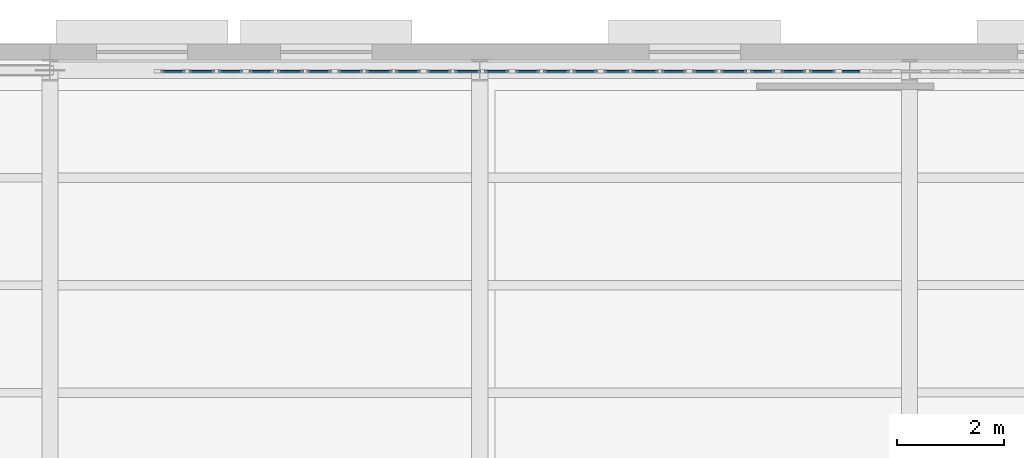
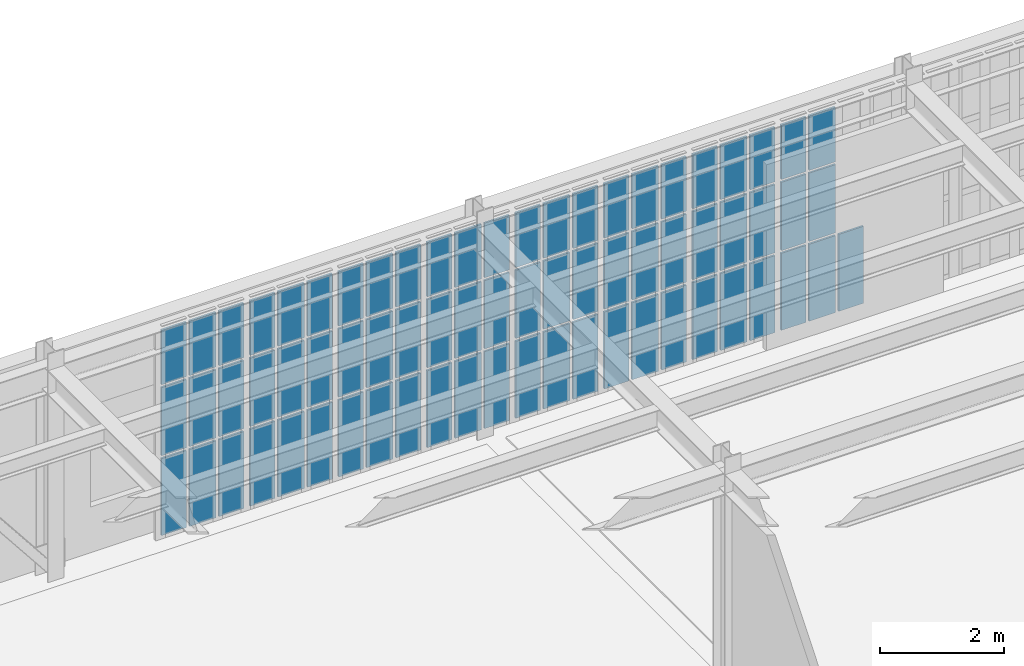
# One storey, part 58 of 91: 70 plates, 8 elements without a shape of their own.
"""IFC4 building model written with IfcOpenShell, lengths in metres."""

import ifcopenshell
import ifcopenshell.guid

model = None  # the IFC model being written
_history = None  # IfcOwnerHistory: only IFC2X3 demands one
_inside = {}  # id of a spatial element -> (the spatial element, [elements in it])
_under = {}  # id of a project, library or spatial element -> (it, [spatial elements below it])
_declared = {}  # id of a project -> (the project, [libraries it declares])
_typed = {}  # id of a type object -> (the type object, [elements of that type])
_made_of = {}  # id of a material, layer set ... -> (it, [elements and type objects made of it])


def new_model(schema):
    """Start an empty IFC model of exactly this schema.

    Asked for "IFC4X3", IfcOpenShell would pick the latest addendum, in which some entities
    have other attributes; the version numbers below select the first issue.
    IFC2X3 requires an IfcOwnerHistory on every rooted entity: one is made here for all.
    """
    global model, _history
    if schema == "IFC4X3":
        model = ifcopenshell.file(schema_version=(4, 3, 0, 0))
    else:
        model = ifcopenshell.file(schema=schema)
    _inside.clear()
    _under.clear()
    _declared.clear()
    _typed.clear()
    _made_of.clear()
    _history = None
    if model.schema == "IFC2X3":
        org = make("IfcOrganization", Name="unknown")
        user = make(
            "IfcPersonAndOrganization",
            ThePerson=make("IfcPerson", FamilyName="unknown"),
            TheOrganization=org,
        )
        app = make(
            "IfcApplication",
            ApplicationDeveloper=org,
            Version="unknown",
            ApplicationFullName="unknown",
            ApplicationIdentifier="unknown",
        )
        _history = make(
            "IfcOwnerHistory",
            OwningUser=user,
            OwningApplication=app,
            ChangeAction="ADDED",
            CreationDate=0,
        )
    return model


def make(cls, **values):
    """One entity of the class cls with the attributes given. An attribute that is None is left unset."""
    return model.create_entity(
        cls, **{name: value for name, value in values.items() if value is not None}
    )


def rooted(cls, **values):
    """An entity with a GlobalId (a new one), such as an element, a storey or a relation."""
    return make(cls, GlobalId=ifcopenshell.guid.new(), OwnerHistory=_history, **values)


def si_unit(unit_type, name, prefix=None):
    """IfcSIUnit, for example si_unit("LENGTHUNIT", "METRE", prefix="MILLI")."""
    return make("IfcSIUnit", UnitType=unit_type, Prefix=prefix, Name=name)


def assignment(units):
    """IfcUnitAssignment: the units of a project."""
    return None if units is None else make("IfcUnitAssignment", Units=units)


def point(xyz):
    """IfcCartesianPoint."""
    return None if xyz is None else make("IfcCartesianPoint", Coordinates=xyz)


def direction(xyz):
    """IfcDirection."""
    return None if xyz is None else make("IfcDirection", DirectionRatios=xyz)


def frame(location, z_axis=None, x_axis=None):
    """IfcAxis2Placement3D, a coordinate frame: its origin and axes. An axis left out is left unset."""
    return make(
        "IfcAxis2Placement3D",
        Location=point(location),
        Axis=direction(z_axis),
        RefDirection=direction(x_axis),
    )


def frame_2d(location, x_axis=None):
    """IfcAxis2Placement2D, a coordinate frame in the plane: its origin and x axis."""
    return make(
        "IfcAxis2Placement2D", Location=point(location), RefDirection=direction(x_axis)
    )


def origin():
    """The frame at (0, 0, 0) with its axes left unset."""
    return frame((0.0, 0.0, 0.0))


def origin_2d():
    """The frame at (0, 0) in the plane with its x axis left unset."""
    return frame_2d((0.0, 0.0))


def place(relative_to, where):
    """IfcLocalPlacement: puts the frame where relative to a parent placement (None: the world)."""
    return make(
        "IfcLocalPlacement", PlacementRelTo=relative_to, RelativePlacement=where
    )


def context(
    kind, dimensions, precision=None, world=None, true_north=None, identifier=None
):
    """IfcGeometricRepresentationContext, for example the 3D "Model" context."""
    return make(
        "IfcGeometricRepresentationContext",
        ContextIdentifier=identifier,
        ContextType=kind,
        CoordinateSpaceDimension=dimensions,
        Precision=precision,
        WorldCoordinateSystem=world,
        TrueNorth=true_north,
    )


def subcontext(parent, identifier, kind, view, scale=None):
    """IfcGeometricRepresentationSubContext, for example "Body" below "Model"."""
    return make(
        "IfcGeometricRepresentationSubContext",
        ContextIdentifier=identifier,
        ContextType=kind,
        ParentContext=parent,
        TargetScale=scale,
        TargetView=view,
    )


def project(units=None, contexts=None):
    """IfcProject with its units and contexts."""
    return rooted(
        "IfcProject",
        Name="project",
        RepresentationContexts=contexts,
        UnitsInContext=assignment(units),
    )


def spatial(cls, under=None, at=None, **own):
    """A site, building, storey or space (cls), placed at a placement, below another one or the project."""
    s = rooted(cls, ObjectPlacement=at, **own)
    if under is not None:
        _under.setdefault(under.id(), (under, []))[1].append(s)
    return s


def profile(cls, at=None, kind="AREA", **sizes):
    """A parametric profile (cls). Its sizes go by their IFC names, for example OverallWidth=200.0."""
    return make(cls, ProfileType=kind, Position=at, **sizes)


def rectangle(**sizes):
    """IfcRectangleProfileDef."""
    return profile("IfcRectangleProfileDef", **sizes)


def extrude(swept, where, along, depth):
    """IfcExtrudedAreaSolid: the profile swept, set in the frame where, extruded along a direction by depth."""
    return make(
        "IfcExtrudedAreaSolid",
        SweptArea=swept,
        Position=where,
        ExtrudedDirection=direction(along),
        Depth=depth,
    )


def shape(context_of_items, identifier, shape_type, items):
    """IfcShapeRepresentation: the items that make up one representation, for example the "Body"."""
    return make(
        "IfcShapeRepresentation",
        ContextOfItems=context_of_items,
        RepresentationIdentifier=identifier,
        RepresentationType=shape_type,
        Items=items,
    )


def material(Name=None, Category=None):
    """IfcMaterial."""
    return make("IfcMaterial", Name=Name, Category=Category)


def layer(
    of_material, thickness, ventilated=None, Name=None, Category=None, Priority=None
):
    """IfcMaterialLayer: one layer of a wall or slab, of a material (None: an air gap)."""
    return make(
        "IfcMaterialLayer",
        Material=of_material,
        LayerThickness=thickness,
        IsVentilated=ventilated,
        Name=Name,
        Category=Category,
        Priority=Priority,
    )


def layer_set(layers, Name=None):
    """IfcMaterialLayerSet."""
    return make("IfcMaterialLayerSet", MaterialLayers=layers, LayerSetName=Name)


def made_of(thing, what):
    """Note that an element or type object is made of a material, layer set ...; save() writes the relation."""
    if what is not None:
        _made_of.setdefault(what.id(), (what, []))[1].append(thing)
    return thing


def type_object(cls, material=None, **own):
    """A type object (cls), such as IfcWallType, which elements share."""
    return made_of(rooted(cls, **own), material)


def element(
    cls,
    number,
    at=None,
    inside=None,
    cuts=None,
    type_object=None,
    material=None,
    context=None,
    identifier="Body",
    shape_type=None,
    held_by="IfcProductDefinitionShape",
    body=None,
    shapes=None,
    **own,
):
    """One element of the class cls, such as IfcWall. Its Tag is "e" and its number.

    at: its placement. inside: the storey or other place that contains it. cuts: it is an
    opening in that element (IfcRelVoidsElement). A single representation is given by context,
    identifier, shape_type and body (its items); several are given by shapes. held_by: the class
    of the entity that holds the representations. save() writes the other relations.
    """
    e = rooted(cls, Tag="e%d" % number, ObjectPlacement=at, **own)
    if body is not None:
        shapes = [shape(context, identifier, shape_type, body)]
    if shapes is not None:
        e.Representation = make(held_by, Representations=shapes)
    if inside is not None:
        _inside.setdefault(inside.id(), (inside, []))[1].append(e)
    if cuts is not None:
        rooted(
            "IfcRelVoidsElement", RelatingBuildingElement=cuts, RelatedOpeningElement=e
        )
    if type_object is not None:
        _typed.setdefault(type_object.id(), (type_object, []))[1].append(e)
    return made_of(e, material)


def aggregate(whole, parts):
    """IfcRelAggregates: a whole, such as a stair, and the parts it consists of."""
    return rooted("IfcRelAggregates", RelatingObject=whole, RelatedObjects=parts)


def save(model, path):
    """Write the relations noted so far, then the file.

    IfcRelAggregates (storeys below a building ...), IfcRelContainedInSpatialStructure (elements
    in a storey), IfcRelDefinesByType, IfcRelAssociatesMaterial and IfcRelDeclares: one each for
    every whole, place, type object, material and project.
    """
    for whole, parts in _under.values():
        aggregate(whole, parts)
    for where, things in _inside.values():
        rooted(
            "IfcRelContainedInSpatialStructure",
            RelatedElements=things,
            RelatingStructure=where,
        )
    for kind, things in _typed.values():
        rooted("IfcRelDefinesByType", RelatedObjects=things, RelatingType=kind)
    for what, things in _made_of.values():
        rooted("IfcRelAssociatesMaterial", RelatedObjects=things, RelatingMaterial=what)
    for by, libraries in _declared.values():
        rooted("IfcRelDeclares", RelatingContext=by, RelatedDefinitions=libraries)
    model.write(path)


model = new_model("IFC4")

# Units and contexts
model_context = context("Model", 3, precision=1e-05, world=origin(), true_north=direction((0.0, 1.0)))
body_context = subcontext(model_context, "Body", "Model", "MODEL_VIEW")
ifc_project = project(units=[si_unit("LENGTHUNIT", "METRE"), si_unit("AREAUNIT", "SQUARE_METRE"), si_unit("VOLUMEUNIT", "CUBIC_METRE"), si_unit("PLANEANGLEUNIT", "RADIAN"), si_unit("MASSUNIT", "GRAM", prefix="KILO")], contexts=[model_context])

# Site, building, storey
site_placement = place(None, origin())
site = spatial("IfcSite", under=ifc_project, at=site_placement, CompositionType="ELEMENT")
building_placement = place(site_placement, origin())
building = spatial("IfcBuilding", under=site, at=building_placement, Name="Kolvaren Corner Interchange", CompositionType="ELEMENT")
storey_placement = place(building_placement, frame((0.0, 0.0, 6.0)))
storey = spatial("IfcBuildingStorey", under=building, at=storey_placement, Name="L02", CompositionType="ELEMENT", Elevation=6.0)

# Curtain wall, plates
ifc_material_1 = material(Name="Unitised Aluminium and Solar-Control Glass Curtain Wall", Category="aluminium")
curtain_wall_type = type_object("IfcCurtainWallType", Name="CW-V3-MEZZ", PredefinedType="NOTDEFINED", material=ifc_material_1)
curtain_wall_1_placement = place(storey_placement, origin())
curtain_wall_1 = element("IfcCurtainWall", 1, at=curtain_wall_1_placement, inside=storey, type_object=curtain_wall_type, Name="Cycle Mezzanine North Curtain Wall Bay 01", PredefinedType="NOTDEFINED")
ifc_material_2 = material(Name="Low-E Solar-Control Laminated Glass", Category="glass")
ifc_layer = layer(ifc_material_2, 0.035888671875)
ifc_layer_set = layer_set([ifc_layer], Name="Low-E Solar-Control Laminated Glass")
plate_type = type_object("IfcPlateType", Name="PLT-CW-GL32", PredefinedType="CURTAIN_PANEL", material=ifc_layer_set)
plate_1_placement = place(storey_placement, frame((92.2900390625, 113.47998046875, 0.054931640625), z_axis=(0.0, 0.0, 1.0), x_axis=(1.0, 0.0, 0.0)))
plate_1 = element("IfcPlate", 2, at=plate_1_placement, type_object=plate_type, Name="CW-114 panel 1.1", PredefinedType="CURTAIN_PANEL", context=body_context, shape_type="SweptSolid", body=[
    extrude(rectangle(XDim=0.4599609375, YDim=0.035888671875, at=origin_2d()), origin(), (0.0, 0.0, 1.0), 1.517578125),
])
plate_2_placement = place(storey_placement, frame((92.2900390625, 113.47998046875, 1.62744140625), z_axis=(0.0, 0.0, 1.0), x_axis=(1.0, 0.0, 0.0)))
plate_2 = element("IfcPlate", 3, at=plate_2_placement, type_object=plate_type, Name="CW-114 panel 1.2", PredefinedType="CURTAIN_PANEL", context=body_context, shape_type="SweptSolid", body=[
    extrude(rectangle(XDim=0.4599609375, YDim=0.035888671875, at=origin_2d()), origin(), (0.0, 0.0, 1.0), 1.344970703125),
])
plate_3_placement = place(storey_placement, frame((92.2900390625, 113.47998046875, 3.02734375), z_axis=(0.0, 0.0, 1.0), x_axis=(1.0, 0.0, 0.0)))
plate_3 = element("IfcPlate", 4, at=plate_3_placement, type_object=plate_type, Name="CW-114 panel 1.3", PredefinedType="CURTAIN_PANEL", context=body_context, shape_type="SweptSolid", body=[
    extrude(rectangle(XDim=0.4599609375, YDim=0.035888671875, at=origin_2d()), origin(), (0.0, 0.0, 1.0), 1.077392578125),
])
plate_4_placement = place(storey_placement, frame((92.824951171875, 113.47998046875, 0.054931640625), z_axis=(0.0, 0.0, 1.0), x_axis=(1.0, 0.0, 0.0)))
plate_4 = element("IfcPlate", 5, at=plate_4_placement, type_object=plate_type, Name="CW-114 panel 2.1", PredefinedType="CURTAIN_PANEL", context=body_context, shape_type="SweptSolid", body=[
    extrude(rectangle(XDim=0.489990234375, YDim=0.035888671875, at=origin_2d()), origin(), (0.0, 0.0, 1.0), 1.517578125),
])
plate_5_placement = place(storey_placement, frame((92.824951171875, 113.47998046875, 1.62744140625), z_axis=(0.0, 0.0, 1.0), x_axis=(1.0, 0.0, 0.0)))
plate_5 = element("IfcPlate", 6, at=plate_5_placement, type_object=plate_type, Name="CW-114 panel 2.2", PredefinedType="CURTAIN_PANEL", context=body_context, shape_type="SweptSolid", body=[
    extrude(rectangle(XDim=0.489990234375, YDim=0.035888671875, at=origin_2d()), origin(), (0.0, 0.0, 1.0), 1.344970703125),
])
plate_6_placement = place(storey_placement, frame((92.824951171875, 113.47998046875, 3.02734375), z_axis=(0.0, 0.0, 1.0), x_axis=(1.0, 0.0, 0.0)))
plate_6 = element("IfcPlate", 7, at=plate_6_placement, type_object=plate_type, Name="CW-114 panel 2.3", PredefinedType="CURTAIN_PANEL", context=body_context, shape_type="SweptSolid", body=[
    extrude(rectangle(XDim=0.489990234375, YDim=0.035888671875, at=origin_2d()), origin(), (0.0, 0.0, 1.0), 1.077392578125),
])
plate_7_placement = place(storey_placement, frame((93.360107421875, 113.47998046875, 0.054931640625), z_axis=(0.0, 0.0, 1.0), x_axis=(1.0, 0.0, 0.0)))
plate_7 = element("IfcPlate", 8, at=plate_7_placement, type_object=plate_type, Name="CW-114 panel 3.1", PredefinedType="CURTAIN_PANEL", context=body_context, shape_type="SweptSolid", body=[
    extrude(rectangle(XDim=0.4599609375, YDim=0.035888671875, at=origin_2d()), origin(), (0.0, 0.0, 1.0), 1.517578125),
])
plate_8_placement = place(storey_placement, frame((93.360107421875, 113.47998046875, 1.62744140625), z_axis=(0.0, 0.0, 1.0), x_axis=(1.0, 0.0, 0.0)))
plate_8 = element("IfcPlate", 9, at=plate_8_placement, type_object=plate_type, Name="CW-114 panel 3.2", PredefinedType="CURTAIN_PANEL", context=body_context, shape_type="SweptSolid", body=[
    extrude(rectangle(XDim=0.4599609375, YDim=0.035888671875, at=origin_2d()), origin(), (0.0, 0.0, 1.0), 1.344970703125),
])
plate_9_placement = place(storey_placement, frame((93.360107421875, 113.47998046875, 3.02734375), z_axis=(0.0, 0.0, 1.0), x_axis=(1.0, 0.0, 0.0)))
plate_9 = element("IfcPlate", 10, at=plate_9_placement, type_object=plate_type, Name="CW-114 panel 3.3", PredefinedType="CURTAIN_PANEL", context=body_context, shape_type="SweptSolid", body=[
    extrude(rectangle(XDim=0.4599609375, YDim=0.035888671875, at=origin_2d()), origin(), (0.0, 0.0, 1.0), 1.077392578125),
])
aggregate(curtain_wall_1, [plate_1, plate_2, plate_3, plate_4, plate_5, plate_6, plate_7, plate_8, plate_9])

curtain_wall_2_placement = place(storey_placement, origin())
curtain_wall_2 = element("IfcCurtainWall", 11, at=curtain_wall_2_placement, inside=storey, type_object=curtain_wall_type, Name="Cycle Mezzanine North Curtain Wall Bay 02", PredefinedType="NOTDEFINED")
plate_10_placement = place(storey_placement, frame((93.93994140625, 113.47998046875, 0.054931640625), z_axis=(0.0, 0.0, 1.0), x_axis=(1.0, 0.0, 0.0)))
plate_10 = element("IfcPlate", 12, at=plate_10_placement, type_object=plate_type, Name="CW-115 panel 1.1", PredefinedType="CURTAIN_PANEL", context=body_context, shape_type="SweptSolid", body=[
    extrude(rectangle(XDim=0.4599609375, YDim=0.035888671875, at=origin_2d()), origin(), (0.0, 0.0, 1.0), 1.517578125),
])
plate_11_placement = place(storey_placement, frame((93.93994140625, 113.47998046875, 1.62744140625), z_axis=(0.0, 0.0, 1.0), x_axis=(1.0, 0.0, 0.0)))
plate_11 = element("IfcPlate", 13, at=plate_11_placement, type_object=plate_type, Name="CW-115 panel 1.2", PredefinedType="CURTAIN_PANEL", context=body_context, shape_type="SweptSolid", body=[
    extrude(rectangle(XDim=0.4599609375, YDim=0.035888671875, at=origin_2d()), origin(), (0.0, 0.0, 1.0), 1.344970703125),
])
plate_12_placement = place(storey_placement, frame((93.93994140625, 113.47998046875, 3.02734375), z_axis=(0.0, 0.0, 1.0), x_axis=(1.0, 0.0, 0.0)))
plate_12 = element("IfcPlate", 14, at=plate_12_placement, type_object=plate_type, Name="CW-115 panel 1.3", PredefinedType="CURTAIN_PANEL", context=body_context, shape_type="SweptSolid", body=[
    extrude(rectangle(XDim=0.4599609375, YDim=0.035888671875, at=origin_2d()), origin(), (0.0, 0.0, 1.0), 1.077392578125),
])
plate_13_placement = place(storey_placement, frame((94.47509765625, 113.47998046875, 0.054931640625), z_axis=(0.0, 0.0, 1.0), x_axis=(1.0, 0.0, 0.0)))
plate_13 = element("IfcPlate", 15, at=plate_13_placement, type_object=plate_type, Name="CW-115 panel 2.1", PredefinedType="CURTAIN_PANEL", context=body_context, shape_type="SweptSolid", body=[
    extrude(rectangle(XDim=0.489990234375, YDim=0.035888671875, at=origin_2d()), origin(), (0.0, 0.0, 1.0), 1.517578125),
])
plate_14_placement = place(storey_placement, frame((94.47509765625, 113.47998046875, 1.62744140625), z_axis=(0.0, 0.0, 1.0), x_axis=(1.0, 0.0, 0.0)))
plate_14 = element("IfcPlate", 16, at=plate_14_placement, type_object=plate_type, Name="CW-115 panel 2.2", PredefinedType="CURTAIN_PANEL", context=body_context, shape_type="SweptSolid", body=[
    extrude(rectangle(XDim=0.489990234375, YDim=0.035888671875, at=origin_2d()), origin(), (0.0, 0.0, 1.0), 1.344970703125),
])
plate_15_placement = place(storey_placement, frame((94.47509765625, 113.47998046875, 3.02734375), z_axis=(0.0, 0.0, 1.0), x_axis=(1.0, 0.0, 0.0)))
plate_15 = element("IfcPlate", 17, at=plate_15_placement, type_object=plate_type, Name="CW-115 panel 2.3", PredefinedType="CURTAIN_PANEL", context=body_context, shape_type="SweptSolid", body=[
    extrude(rectangle(XDim=0.489990234375, YDim=0.035888671875, at=origin_2d()), origin(), (0.0, 0.0, 1.0), 1.077392578125),
])
plate_16_placement = place(storey_placement, frame((95.010009765625, 113.47998046875, 0.054931640625), z_axis=(0.0, 0.0, 1.0), x_axis=(1.0, 0.0, 0.0)))
plate_16 = element("IfcPlate", 18, at=plate_16_placement, type_object=plate_type, Name="CW-115 panel 3.1", PredefinedType="CURTAIN_PANEL", context=body_context, shape_type="SweptSolid", body=[
    extrude(rectangle(XDim=0.4599609375, YDim=0.035888671875, at=origin_2d()), origin(), (0.0, 0.0, 1.0), 1.517578125),
])
plate_17_placement = place(storey_placement, frame((95.010009765625, 113.47998046875, 1.62744140625), z_axis=(0.0, 0.0, 1.0), x_axis=(1.0, 0.0, 0.0)))
plate_17 = element("IfcPlate", 19, at=plate_17_placement, type_object=plate_type, Name="CW-115 panel 3.2", PredefinedType="CURTAIN_PANEL", context=body_context, shape_type="SweptSolid", body=[
    extrude(rectangle(XDim=0.4599609375, YDim=0.035888671875, at=origin_2d()), origin(), (0.0, 0.0, 1.0), 1.344970703125),
])
plate_18_placement = place(storey_placement, frame((95.010009765625, 113.47998046875, 3.02734375), z_axis=(0.0, 0.0, 1.0), x_axis=(1.0, 0.0, 0.0)))
plate_18 = element("IfcPlate", 20, at=plate_18_placement, type_object=plate_type, Name="CW-115 panel 3.3", PredefinedType="CURTAIN_PANEL", context=body_context, shape_type="SweptSolid", body=[
    extrude(rectangle(XDim=0.4599609375, YDim=0.035888671875, at=origin_2d()), origin(), (0.0, 0.0, 1.0), 1.077392578125),
])
aggregate(curtain_wall_2, [plate_10, plate_11, plate_12, plate_13, plate_14, plate_15, plate_16, plate_17, plate_18])

curtain_wall_3_placement = place(storey_placement, origin())
curtain_wall_3 = element("IfcCurtainWall", 21, at=curtain_wall_3_placement, inside=storey, type_object=curtain_wall_type, Name="Cycle Mezzanine North Curtain Wall Bay 03", PredefinedType="NOTDEFINED")
plate_19_placement = place(storey_placement, frame((95.590087890625, 113.47998046875, 0.054931640625), z_axis=(0.0, 0.0, 1.0), x_axis=(1.0, 0.0, 0.0)))
plate_19 = element("IfcPlate", 22, at=plate_19_placement, type_object=plate_type, Name="CW-116 panel 1.1", PredefinedType="CURTAIN_PANEL", context=body_context, shape_type="SweptSolid", body=[
    extrude(rectangle(XDim=0.4599609375, YDim=0.035888671875, at=origin_2d()), origin(), (0.0, 0.0, 1.0), 1.517578125),
])
plate_20_placement = place(storey_placement, frame((95.590087890625, 113.47998046875, 1.62744140625), z_axis=(0.0, 0.0, 1.0), x_axis=(1.0, 0.0, 0.0)))
plate_20 = element("IfcPlate", 23, at=plate_20_placement, type_object=plate_type, Name="CW-116 panel 1.2", PredefinedType="CURTAIN_PANEL", context=body_context, shape_type="SweptSolid", body=[
    extrude(rectangle(XDim=0.4599609375, YDim=0.035888671875, at=origin_2d()), origin(), (0.0, 0.0, 1.0), 1.344970703125),
])
plate_21_placement = place(storey_placement, frame((95.590087890625, 113.47998046875, 3.02734375), z_axis=(0.0, 0.0, 1.0), x_axis=(1.0, 0.0, 0.0)))
plate_21 = element("IfcPlate", 24, at=plate_21_placement, type_object=plate_type, Name="CW-116 panel 1.3", PredefinedType="CURTAIN_PANEL", context=body_context, shape_type="SweptSolid", body=[
    extrude(rectangle(XDim=0.4599609375, YDim=0.035888671875, at=origin_2d()), origin(), (0.0, 0.0, 1.0), 1.077392578125),
])
plate_22_placement = place(storey_placement, frame((96.125, 113.47998046875, 0.054931640625), z_axis=(0.0, 0.0, 1.0), x_axis=(1.0, 0.0, 0.0)))
plate_22 = element("IfcPlate", 25, at=plate_22_placement, type_object=plate_type, Name="CW-116 panel 2.1", PredefinedType="CURTAIN_PANEL", context=body_context, shape_type="SweptSolid", body=[
    extrude(rectangle(XDim=0.489990234375, YDim=0.035888671875, at=origin_2d()), origin(), (0.0, 0.0, 1.0), 1.517578125),
])
plate_23_placement = place(storey_placement, frame((96.125, 113.47998046875, 1.62744140625), z_axis=(0.0, 0.0, 1.0), x_axis=(1.0, 0.0, 0.0)))
plate_23 = element("IfcPlate", 26, at=plate_23_placement, type_object=plate_type, Name="CW-116 panel 2.2", PredefinedType="CURTAIN_PANEL", context=body_context, shape_type="SweptSolid", body=[
    extrude(rectangle(XDim=0.489990234375, YDim=0.035888671875, at=origin_2d()), origin(), (0.0, 0.0, 1.0), 1.344970703125),
])
plate_24_placement = place(storey_placement, frame((96.125, 113.47998046875, 3.02734375), z_axis=(0.0, 0.0, 1.0), x_axis=(1.0, 0.0, 0.0)))
plate_24 = element("IfcPlate", 27, at=plate_24_placement, type_object=plate_type, Name="CW-116 panel 2.3", PredefinedType="CURTAIN_PANEL", context=body_context, shape_type="SweptSolid", body=[
    extrude(rectangle(XDim=0.489990234375, YDim=0.035888671875, at=origin_2d()), origin(), (0.0, 0.0, 1.0), 1.077392578125),
])
plate_25_placement = place(storey_placement, frame((96.659912109375, 113.47998046875, 0.054931640625), z_axis=(0.0, 0.0, 1.0), x_axis=(1.0, 0.0, 0.0)))
plate_25 = element("IfcPlate", 28, at=plate_25_placement, type_object=plate_type, Name="CW-116 panel 3.1", PredefinedType="CURTAIN_PANEL", context=body_context, shape_type="SweptSolid", body=[
    extrude(rectangle(XDim=0.4599609375, YDim=0.035888671875, at=origin_2d()), origin(), (0.0, 0.0, 1.0), 1.517578125),
])
plate_26_placement = place(storey_placement, frame((96.659912109375, 113.47998046875, 1.62744140625), z_axis=(0.0, 0.0, 1.0), x_axis=(1.0, 0.0, 0.0)))
plate_26 = element("IfcPlate", 29, at=plate_26_placement, type_object=plate_type, Name="CW-116 panel 3.2", PredefinedType="CURTAIN_PANEL", context=body_context, shape_type="SweptSolid", body=[
    extrude(rectangle(XDim=0.4599609375, YDim=0.035888671875, at=origin_2d()), origin(), (0.0, 0.0, 1.0), 1.344970703125),
])
plate_27_placement = place(storey_placement, frame((96.659912109375, 113.47998046875, 3.02734375), z_axis=(0.0, 0.0, 1.0), x_axis=(1.0, 0.0, 0.0)))
plate_27 = element("IfcPlate", 30, at=plate_27_placement, type_object=plate_type, Name="CW-116 panel 3.3", PredefinedType="CURTAIN_PANEL", context=body_context, shape_type="SweptSolid", body=[
    extrude(rectangle(XDim=0.4599609375, YDim=0.035888671875, at=origin_2d()), origin(), (0.0, 0.0, 1.0), 1.077392578125),
])
aggregate(curtain_wall_3, [plate_19, plate_20, plate_21, plate_22, plate_23, plate_24, plate_25, plate_26, plate_27])

curtain_wall_4_placement = place(storey_placement, origin())
curtain_wall_4 = element("IfcCurtainWall", 31, at=curtain_wall_4_placement, inside=storey, type_object=curtain_wall_type, Name="Cycle Mezzanine North Curtain Wall Bay 04", PredefinedType="NOTDEFINED")
plate_28_placement = place(storey_placement, frame((97.239990234375, 113.47998046875, 0.054931640625), z_axis=(0.0, 0.0, 1.0), x_axis=(1.0, 0.0, 0.0)))
plate_28 = element("IfcPlate", 32, at=plate_28_placement, type_object=plate_type, Name="CW-117 panel 1.1", PredefinedType="CURTAIN_PANEL", context=body_context, shape_type="SweptSolid", body=[
    extrude(rectangle(XDim=0.4599609375, YDim=0.035888671875, at=origin_2d()), origin(), (0.0, 0.0, 1.0), 1.517578125),
])
plate_29_placement = place(storey_placement, frame((97.239990234375, 113.47998046875, 1.62744140625), z_axis=(0.0, 0.0, 1.0), x_axis=(1.0, 0.0, 0.0)))
plate_29 = element("IfcPlate", 33, at=plate_29_placement, type_object=plate_type, Name="CW-117 panel 1.2", PredefinedType="CURTAIN_PANEL", context=body_context, shape_type="SweptSolid", body=[
    extrude(rectangle(XDim=0.4599609375, YDim=0.035888671875, at=origin_2d()), origin(), (0.0, 0.0, 1.0), 1.344970703125),
])
plate_30_placement = place(storey_placement, frame((97.239990234375, 113.47998046875, 3.02734375), z_axis=(0.0, 0.0, 1.0), x_axis=(1.0, 0.0, 0.0)))
plate_30 = element("IfcPlate", 34, at=plate_30_placement, type_object=plate_type, Name="CW-117 panel 1.3", PredefinedType="CURTAIN_PANEL", context=body_context, shape_type="SweptSolid", body=[
    extrude(rectangle(XDim=0.4599609375, YDim=0.035888671875, at=origin_2d()), origin(), (0.0, 0.0, 1.0), 1.077392578125),
])
plate_31_placement = place(storey_placement, frame((97.77490234375, 113.47998046875, 0.054931640625), z_axis=(0.0, 0.0, 1.0), x_axis=(1.0, 0.0, 0.0)))
plate_31 = element("IfcPlate", 35, at=plate_31_placement, type_object=plate_type, Name="CW-117 panel 2.1", PredefinedType="CURTAIN_PANEL", context=body_context, shape_type="SweptSolid", body=[
    extrude(rectangle(XDim=0.489990234375, YDim=0.035888671875, at=origin_2d()), origin(), (0.0, 0.0, 1.0), 1.517578125),
])
plate_32_placement = place(storey_placement, frame((97.77490234375, 113.47998046875, 1.62744140625), z_axis=(0.0, 0.0, 1.0), x_axis=(1.0, 0.0, 0.0)))
plate_32 = element("IfcPlate", 36, at=plate_32_placement, type_object=plate_type, Name="CW-117 panel 2.2", PredefinedType="CURTAIN_PANEL", context=body_context, shape_type="SweptSolid", body=[
    extrude(rectangle(XDim=0.489990234375, YDim=0.035888671875, at=origin_2d()), origin(), (0.0, 0.0, 1.0), 1.344970703125),
])
plate_33_placement = place(storey_placement, frame((97.77490234375, 113.47998046875, 3.02734375), z_axis=(0.0, 0.0, 1.0), x_axis=(1.0, 0.0, 0.0)))
plate_33 = element("IfcPlate", 37, at=plate_33_placement, type_object=plate_type, Name="CW-117 panel 2.3", PredefinedType="CURTAIN_PANEL", context=body_context, shape_type="SweptSolid", body=[
    extrude(rectangle(XDim=0.489990234375, YDim=0.035888671875, at=origin_2d()), origin(), (0.0, 0.0, 1.0), 1.077392578125),
])
plate_34_placement = place(storey_placement, frame((98.31005859375, 113.47998046875, 0.054931640625), z_axis=(0.0, 0.0, 1.0), x_axis=(1.0, 0.0, 0.0)))
plate_34 = element("IfcPlate", 38, at=plate_34_placement, type_object=plate_type, Name="CW-117 panel 3.1", PredefinedType="CURTAIN_PANEL", context=body_context, shape_type="SweptSolid", body=[
    extrude(rectangle(XDim=0.4599609375, YDim=0.035888671875, at=origin_2d()), origin(), (0.0, 0.0, 1.0), 1.517578125),
])
plate_35_placement = place(storey_placement, frame((98.31005859375, 113.47998046875, 1.62744140625), z_axis=(0.0, 0.0, 1.0), x_axis=(1.0, 0.0, 0.0)))
plate_35 = element("IfcPlate", 39, at=plate_35_placement, type_object=plate_type, Name="CW-117 panel 3.2", PredefinedType="CURTAIN_PANEL", context=body_context, shape_type="SweptSolid", body=[
    extrude(rectangle(XDim=0.4599609375, YDim=0.035888671875, at=origin_2d()), origin(), (0.0, 0.0, 1.0), 1.344970703125),
])
plate_36_placement = place(storey_placement, frame((98.31005859375, 113.47998046875, 3.02734375), z_axis=(0.0, 0.0, 1.0), x_axis=(1.0, 0.0, 0.0)))
plate_36 = element("IfcPlate", 40, at=plate_36_placement, type_object=plate_type, Name="CW-117 panel 3.3", PredefinedType="CURTAIN_PANEL", context=body_context, shape_type="SweptSolid", body=[
    extrude(rectangle(XDim=0.4599609375, YDim=0.035888671875, at=origin_2d()), origin(), (0.0, 0.0, 1.0), 1.077392578125),
])
aggregate(curtain_wall_4, [plate_28, plate_29, plate_30, plate_31, plate_32, plate_33, plate_34, plate_35, plate_36])

curtain_wall_5_placement = place(storey_placement, origin())
curtain_wall_5 = element("IfcCurtainWall", 41, at=curtain_wall_5_placement, inside=storey, type_object=curtain_wall_type, Name="Cycle Mezzanine North Curtain Wall Bay 05", PredefinedType="NOTDEFINED")
plate_37_placement = place(storey_placement, frame((98.889892578125, 113.47998046875, 0.054931640625), z_axis=(0.0, 0.0, 1.0), x_axis=(1.0, 0.0, 0.0)))
plate_37 = element("IfcPlate", 42, at=plate_37_placement, type_object=plate_type, Name="CW-118 panel 1.1", PredefinedType="CURTAIN_PANEL", context=body_context, shape_type="SweptSolid", body=[
    extrude(rectangle(XDim=0.4599609375, YDim=0.035888671875, at=origin_2d()), origin(), (0.0, 0.0, 1.0), 1.517578125),
])
plate_38_placement = place(storey_placement, frame((98.889892578125, 113.47998046875, 1.62744140625), z_axis=(0.0, 0.0, 1.0), x_axis=(1.0, 0.0, 0.0)))
plate_38 = element("IfcPlate", 43, at=plate_38_placement, type_object=plate_type, Name="CW-118 panel 1.2", PredefinedType="CURTAIN_PANEL", context=body_context, shape_type="SweptSolid", body=[
    extrude(rectangle(XDim=0.4599609375, YDim=0.035888671875, at=origin_2d()), origin(), (0.0, 0.0, 1.0), 1.344970703125),
])
plate_39_placement = place(storey_placement, frame((98.889892578125, 113.47998046875, 3.02734375), z_axis=(0.0, 0.0, 1.0), x_axis=(1.0, 0.0, 0.0)))
plate_39 = element("IfcPlate", 44, at=plate_39_placement, type_object=plate_type, Name="CW-118 panel 1.3", PredefinedType="CURTAIN_PANEL", context=body_context, shape_type="SweptSolid", body=[
    extrude(rectangle(XDim=0.4599609375, YDim=0.035888671875, at=origin_2d()), origin(), (0.0, 0.0, 1.0), 1.077392578125),
])
plate_40_placement = place(storey_placement, frame((99.425048828125, 113.47998046875, 0.054931640625), z_axis=(0.0, 0.0, 1.0), x_axis=(1.0, 0.0, 0.0)))
plate_40 = element("IfcPlate", 45, at=plate_40_placement, type_object=plate_type, Name="CW-118 panel 2.1", PredefinedType="CURTAIN_PANEL", context=body_context, shape_type="SweptSolid", body=[
    extrude(rectangle(XDim=0.489990234375, YDim=0.035888671875, at=origin_2d()), origin(), (0.0, 0.0, 1.0), 1.517578125),
])
plate_41_placement = place(storey_placement, frame((99.425048828125, 113.47998046875, 1.62744140625), z_axis=(0.0, 0.0, 1.0), x_axis=(1.0, 0.0, 0.0)))
plate_41 = element("IfcPlate", 46, at=plate_41_placement, type_object=plate_type, Name="CW-118 panel 2.2", PredefinedType="CURTAIN_PANEL", context=body_context, shape_type="SweptSolid", body=[
    extrude(rectangle(XDim=0.489990234375, YDim=0.035888671875, at=origin_2d()), origin(), (0.0, 0.0, 1.0), 1.344970703125),
])
plate_42_placement = place(storey_placement, frame((99.425048828125, 113.47998046875, 3.02734375), z_axis=(0.0, 0.0, 1.0), x_axis=(1.0, 0.0, 0.0)))
plate_42 = element("IfcPlate", 47, at=plate_42_placement, type_object=plate_type, Name="CW-118 panel 2.3", PredefinedType="CURTAIN_PANEL", context=body_context, shape_type="SweptSolid", body=[
    extrude(rectangle(XDim=0.489990234375, YDim=0.035888671875, at=origin_2d()), origin(), (0.0, 0.0, 1.0), 1.077392578125),
])
plate_43_placement = place(storey_placement, frame((99.9599609375, 113.47998046875, 0.054931640625), z_axis=(0.0, 0.0, 1.0), x_axis=(1.0, 0.0, 0.0)))
plate_43 = element("IfcPlate", 48, at=plate_43_placement, type_object=plate_type, Name="CW-118 panel 3.1", PredefinedType="CURTAIN_PANEL", context=body_context, shape_type="SweptSolid", body=[
    extrude(rectangle(XDim=0.4599609375, YDim=0.035888671875, at=origin_2d()), origin(), (0.0, 0.0, 1.0), 1.517578125),
])
plate_44_placement = place(storey_placement, frame((99.9599609375, 113.47998046875, 1.62744140625), z_axis=(0.0, 0.0, 1.0), x_axis=(1.0, 0.0, 0.0)))
plate_44 = element("IfcPlate", 49, at=plate_44_placement, type_object=plate_type, Name="CW-118 panel 3.2", PredefinedType="CURTAIN_PANEL", context=body_context, shape_type="SweptSolid", body=[
    extrude(rectangle(XDim=0.4599609375, YDim=0.035888671875, at=origin_2d()), origin(), (0.0, 0.0, 1.0), 1.344970703125),
])
plate_45_placement = place(storey_placement, frame((99.9599609375, 113.47998046875, 3.02734375), z_axis=(0.0, 0.0, 1.0), x_axis=(1.0, 0.0, 0.0)))
plate_45 = element("IfcPlate", 50, at=plate_45_placement, type_object=plate_type, Name="CW-118 panel 3.3", PredefinedType="CURTAIN_PANEL", context=body_context, shape_type="SweptSolid", body=[
    extrude(rectangle(XDim=0.4599609375, YDim=0.035888671875, at=origin_2d()), origin(), (0.0, 0.0, 1.0), 1.077392578125),
])
aggregate(curtain_wall_5, [plate_37, plate_38, plate_39, plate_40, plate_41, plate_42, plate_43, plate_44, plate_45])

curtain_wall_6_placement = place(storey_placement, origin())
curtain_wall_6 = element("IfcCurtainWall", 51, at=curtain_wall_6_placement, inside=storey, type_object=curtain_wall_type, Name="Cycle Mezzanine North Curtain Wall Bay 06", PredefinedType="NOTDEFINED")
plate_46_placement = place(storey_placement, frame((100.5400390625, 113.47998046875, 0.054931640625), z_axis=(0.0, 0.0, 1.0), x_axis=(1.0, 0.0, 0.0)))
plate_46 = element("IfcPlate", 52, at=plate_46_placement, type_object=plate_type, Name="CW-119 panel 1.1", PredefinedType="CURTAIN_PANEL", context=body_context, shape_type="SweptSolid", body=[
    extrude(rectangle(XDim=0.4599609375, YDim=0.035888671875, at=origin_2d()), origin(), (0.0, 0.0, 1.0), 1.517578125),
])
plate_47_placement = place(storey_placement, frame((100.5400390625, 113.47998046875, 1.62744140625), z_axis=(0.0, 0.0, 1.0), x_axis=(1.0, 0.0, 0.0)))
plate_47 = element("IfcPlate", 53, at=plate_47_placement, type_object=plate_type, Name="CW-119 panel 1.2", PredefinedType="CURTAIN_PANEL", context=body_context, shape_type="SweptSolid", body=[
    extrude(rectangle(XDim=0.4599609375, YDim=0.035888671875, at=origin_2d()), origin(), (0.0, 0.0, 1.0), 1.344970703125),
])
plate_48_placement = place(storey_placement, frame((100.5400390625, 113.47998046875, 3.02734375), z_axis=(0.0, 0.0, 1.0), x_axis=(1.0, 0.0, 0.0)))
plate_48 = element("IfcPlate", 54, at=plate_48_placement, type_object=plate_type, Name="CW-119 panel 1.3", PredefinedType="CURTAIN_PANEL", context=body_context, shape_type="SweptSolid", body=[
    extrude(rectangle(XDim=0.4599609375, YDim=0.035888671875, at=origin_2d()), origin(), (0.0, 0.0, 1.0), 1.077392578125),
])
plate_49_placement = place(storey_placement, frame((101.074951171875, 113.47998046875, 0.054931640625), z_axis=(0.0, 0.0, 1.0), x_axis=(1.0, 0.0, 0.0)))
plate_49 = element("IfcPlate", 55, at=plate_49_placement, type_object=plate_type, Name="CW-119 panel 2.1", PredefinedType="CURTAIN_PANEL", context=body_context, shape_type="SweptSolid", body=[
    extrude(rectangle(XDim=0.489990234375, YDim=0.035888671875, at=origin_2d()), origin(), (0.0, 0.0, 1.0), 1.517578125),
])
plate_50_placement = place(storey_placement, frame((101.074951171875, 113.47998046875, 1.62744140625), z_axis=(0.0, 0.0, 1.0), x_axis=(1.0, 0.0, 0.0)))
plate_50 = element("IfcPlate", 56, at=plate_50_placement, type_object=plate_type, Name="CW-119 panel 2.2", PredefinedType="CURTAIN_PANEL", context=body_context, shape_type="SweptSolid", body=[
    extrude(rectangle(XDim=0.489990234375, YDim=0.035888671875, at=origin_2d()), origin(), (0.0, 0.0, 1.0), 1.344970703125),
])
plate_51_placement = place(storey_placement, frame((101.074951171875, 113.47998046875, 3.02734375), z_axis=(0.0, 0.0, 1.0), x_axis=(1.0, 0.0, 0.0)))
plate_51 = element("IfcPlate", 57, at=plate_51_placement, type_object=plate_type, Name="CW-119 panel 2.3", PredefinedType="CURTAIN_PANEL", context=body_context, shape_type="SweptSolid", body=[
    extrude(rectangle(XDim=0.489990234375, YDim=0.035888671875, at=origin_2d()), origin(), (0.0, 0.0, 1.0), 1.077392578125),
])
plate_52_placement = place(storey_placement, frame((101.610107421875, 113.47998046875, 0.054931640625), z_axis=(0.0, 0.0, 1.0), x_axis=(1.0, 0.0, 0.0)))
plate_52 = element("IfcPlate", 58, at=plate_52_placement, type_object=plate_type, Name="CW-119 panel 3.1", PredefinedType="CURTAIN_PANEL", context=body_context, shape_type="SweptSolid", body=[
    extrude(rectangle(XDim=0.4599609375, YDim=0.035888671875, at=origin_2d()), origin(), (0.0, 0.0, 1.0), 1.517578125),
])
plate_53_placement = place(storey_placement, frame((101.610107421875, 113.47998046875, 1.62744140625), z_axis=(0.0, 0.0, 1.0), x_axis=(1.0, 0.0, 0.0)))
plate_53 = element("IfcPlate", 59, at=plate_53_placement, type_object=plate_type, Name="CW-119 panel 3.2", PredefinedType="CURTAIN_PANEL", context=body_context, shape_type="SweptSolid", body=[
    extrude(rectangle(XDim=0.4599609375, YDim=0.035888671875, at=origin_2d()), origin(), (0.0, 0.0, 1.0), 1.344970703125),
])
plate_54_placement = place(storey_placement, frame((101.610107421875, 113.47998046875, 3.02734375), z_axis=(0.0, 0.0, 1.0), x_axis=(1.0, 0.0, 0.0)))
plate_54 = element("IfcPlate", 60, at=plate_54_placement, type_object=plate_type, Name="CW-119 panel 3.3", PredefinedType="CURTAIN_PANEL", context=body_context, shape_type="SweptSolid", body=[
    extrude(rectangle(XDim=0.4599609375, YDim=0.035888671875, at=origin_2d()), origin(), (0.0, 0.0, 1.0), 1.077392578125),
])
aggregate(curtain_wall_6, [plate_46, plate_47, plate_48, plate_49, plate_50, plate_51, plate_52, plate_53, plate_54])

curtain_wall_7_placement = place(storey_placement, origin())
curtain_wall_7 = element("IfcCurtainWall", 61, at=curtain_wall_7_placement, inside=storey, type_object=curtain_wall_type, Name="Cycle Mezzanine North Curtain Wall Bay 07", PredefinedType="NOTDEFINED")
plate_55_placement = place(storey_placement, frame((102.18994140625, 113.47998046875, 0.054931640625), z_axis=(0.0, 0.0, 1.0), x_axis=(1.0, 0.0, 0.0)))
plate_55 = element("IfcPlate", 62, at=plate_55_placement, type_object=plate_type, Name="CW-120 panel 1.1", PredefinedType="CURTAIN_PANEL", context=body_context, shape_type="SweptSolid", body=[
    extrude(rectangle(XDim=0.4599609375, YDim=0.035888671875, at=origin_2d()), origin(), (0.0, 0.0, 1.0), 1.517578125),
])
plate_56_placement = place(storey_placement, frame((102.18994140625, 113.47998046875, 1.62744140625), z_axis=(0.0, 0.0, 1.0), x_axis=(1.0, 0.0, 0.0)))
plate_56 = element("IfcPlate", 63, at=plate_56_placement, type_object=plate_type, Name="CW-120 panel 1.2", PredefinedType="CURTAIN_PANEL", context=body_context, shape_type="SweptSolid", body=[
    extrude(rectangle(XDim=0.4599609375, YDim=0.035888671875, at=origin_2d()), origin(), (0.0, 0.0, 1.0), 1.344970703125),
])
plate_57_placement = place(storey_placement, frame((102.18994140625, 113.47998046875, 3.02734375), z_axis=(0.0, 0.0, 1.0), x_axis=(1.0, 0.0, 0.0)))
plate_57 = element("IfcPlate", 64, at=plate_57_placement, type_object=plate_type, Name="CW-120 panel 1.3", PredefinedType="CURTAIN_PANEL", context=body_context, shape_type="SweptSolid", body=[
    extrude(rectangle(XDim=0.4599609375, YDim=0.035888671875, at=origin_2d()), origin(), (0.0, 0.0, 1.0), 1.077392578125),
])
plate_58_placement = place(storey_placement, frame((102.72509765625, 113.47998046875, 0.054931640625), z_axis=(0.0, 0.0, 1.0), x_axis=(1.0, 0.0, 0.0)))
plate_58 = element("IfcPlate", 65, at=plate_58_placement, type_object=plate_type, Name="CW-120 panel 2.1", PredefinedType="CURTAIN_PANEL", context=body_context, shape_type="SweptSolid", body=[
    extrude(rectangle(XDim=0.489990234375, YDim=0.035888671875, at=origin_2d()), origin(), (0.0, 0.0, 1.0), 1.517578125),
])
plate_59_placement = place(storey_placement, frame((102.72509765625, 113.47998046875, 1.62744140625), z_axis=(0.0, 0.0, 1.0), x_axis=(1.0, 0.0, 0.0)))
plate_59 = element("IfcPlate", 66, at=plate_59_placement, type_object=plate_type, Name="CW-120 panel 2.2", PredefinedType="CURTAIN_PANEL", context=body_context, shape_type="SweptSolid", body=[
    extrude(rectangle(XDim=0.489990234375, YDim=0.035888671875, at=origin_2d()), origin(), (0.0, 0.0, 1.0), 1.344970703125),
])
plate_60_placement = place(storey_placement, frame((102.72509765625, 113.47998046875, 3.02734375), z_axis=(0.0, 0.0, 1.0), x_axis=(1.0, 0.0, 0.0)))
plate_60 = element("IfcPlate", 67, at=plate_60_placement, type_object=plate_type, Name="CW-120 panel 2.3", PredefinedType="CURTAIN_PANEL", context=body_context, shape_type="SweptSolid", body=[
    extrude(rectangle(XDim=0.489990234375, YDim=0.035888671875, at=origin_2d()), origin(), (0.0, 0.0, 1.0), 1.077392578125),
])
plate_61_placement = place(storey_placement, frame((103.260009765625, 113.47998046875, 0.054931640625), z_axis=(0.0, 0.0, 1.0), x_axis=(1.0, 0.0, 0.0)))
plate_61 = element("IfcPlate", 68, at=plate_61_placement, type_object=plate_type, Name="CW-120 panel 3.1", PredefinedType="CURTAIN_PANEL", context=body_context, shape_type="SweptSolid", body=[
    extrude(rectangle(XDim=0.4599609375, YDim=0.035888671875, at=origin_2d()), origin(), (0.0, 0.0, 1.0), 1.517578125),
])
plate_62_placement = place(storey_placement, frame((103.260009765625, 113.47998046875, 1.62744140625), z_axis=(0.0, 0.0, 1.0), x_axis=(1.0, 0.0, 0.0)))
plate_62 = element("IfcPlate", 69, at=plate_62_placement, type_object=plate_type, Name="CW-120 panel 3.2", PredefinedType="CURTAIN_PANEL", context=body_context, shape_type="SweptSolid", body=[
    extrude(rectangle(XDim=0.4599609375, YDim=0.035888671875, at=origin_2d()), origin(), (0.0, 0.0, 1.0), 1.344970703125),
])
plate_63_placement = place(storey_placement, frame((103.260009765625, 113.47998046875, 3.02734375), z_axis=(0.0, 0.0, 1.0), x_axis=(1.0, 0.0, 0.0)))
plate_63 = element("IfcPlate", 70, at=plate_63_placement, type_object=plate_type, Name="CW-120 panel 3.3", PredefinedType="CURTAIN_PANEL", context=body_context, shape_type="SweptSolid", body=[
    extrude(rectangle(XDim=0.4599609375, YDim=0.035888671875, at=origin_2d()), origin(), (0.0, 0.0, 1.0), 1.077392578125),
])
aggregate(curtain_wall_7, [plate_55, plate_56, plate_57, plate_58, plate_59, plate_60, plate_61, plate_62, plate_63])

curtain_wall_8_placement = place(storey_placement, origin())
curtain_wall_8 = element("IfcCurtainWall", 71, at=curtain_wall_8_placement, inside=storey, type_object=curtain_wall_type, Name="Cycle Mezzanine North Curtain Wall Bay 08", PredefinedType="NOTDEFINED")
plate_64_placement = place(storey_placement, frame((103.840087890625, 113.47998046875, 0.054931640625), z_axis=(0.0, 0.0, 1.0), x_axis=(1.0, 0.0, 0.0)))
plate_64 = element("IfcPlate", 72, at=plate_64_placement, type_object=plate_type, Name="CW-121 panel 1.1", PredefinedType="CURTAIN_PANEL", context=body_context, shape_type="SweptSolid", body=[
    extrude(rectangle(XDim=0.4599609375, YDim=0.035888671875, at=origin_2d()), origin(), (0.0, 0.0, 1.0), 1.517578125),
])
plate_65_placement = place(storey_placement, frame((103.840087890625, 113.47998046875, 1.62744140625), z_axis=(0.0, 0.0, 1.0), x_axis=(1.0, 0.0, 0.0)))
plate_65 = element("IfcPlate", 73, at=plate_65_placement, type_object=plate_type, Name="CW-121 panel 1.2", PredefinedType="CURTAIN_PANEL", context=body_context, shape_type="SweptSolid", body=[
    extrude(rectangle(XDim=0.4599609375, YDim=0.035888671875, at=origin_2d()), origin(), (0.0, 0.0, 1.0), 1.344970703125),
])
plate_66_placement = place(storey_placement, frame((103.840087890625, 113.47998046875, 3.02734375), z_axis=(0.0, 0.0, 1.0), x_axis=(1.0, 0.0, 0.0)))
plate_66 = element("IfcPlate", 74, at=plate_66_placement, type_object=plate_type, Name="CW-121 panel 1.3", PredefinedType="CURTAIN_PANEL", context=body_context, shape_type="SweptSolid", body=[
    extrude(rectangle(XDim=0.4599609375, YDim=0.035888671875, at=origin_2d()), origin(), (0.0, 0.0, 1.0), 1.077392578125),
])
plate_67_placement = place(storey_placement, frame((104.375, 113.47998046875, 0.054931640625), z_axis=(0.0, 0.0, 1.0), x_axis=(1.0, 0.0, 0.0)))
plate_67 = element("IfcPlate", 75, at=plate_67_placement, type_object=plate_type, Name="CW-121 panel 2.1", PredefinedType="CURTAIN_PANEL", context=body_context, shape_type="SweptSolid", body=[
    extrude(rectangle(XDim=0.489990234375, YDim=0.035888671875, at=origin_2d()), origin(), (0.0, 0.0, 1.0), 1.517578125),
])
plate_68_placement = place(storey_placement, frame((104.375, 113.47998046875, 1.62744140625), z_axis=(0.0, 0.0, 1.0), x_axis=(1.0, 0.0, 0.0)))
plate_68 = element("IfcPlate", 76, at=plate_68_placement, type_object=plate_type, Name="CW-121 panel 2.2", PredefinedType="CURTAIN_PANEL", context=body_context, shape_type="SweptSolid", body=[
    extrude(rectangle(XDim=0.489990234375, YDim=0.035888671875, at=origin_2d()), origin(), (0.0, 0.0, 1.0), 1.344970703125),
])
plate_69_placement = place(storey_placement, frame((104.375, 113.47998046875, 3.02734375), z_axis=(0.0, 0.0, 1.0), x_axis=(1.0, 0.0, 0.0)))
plate_69 = element("IfcPlate", 77, at=plate_69_placement, type_object=plate_type, Name="CW-121 panel 2.3", PredefinedType="CURTAIN_PANEL", context=body_context, shape_type="SweptSolid", body=[
    extrude(rectangle(XDim=0.489990234375, YDim=0.035888671875, at=origin_2d()), origin(), (0.0, 0.0, 1.0), 1.077392578125),
])
plate_70_placement = place(storey_placement, frame((104.909912109375, 113.47998046875, 0.054931640625), z_axis=(0.0, 0.0, 1.0), x_axis=(1.0, 0.0, 0.0)))
plate_70 = element("IfcPlate", 78, at=plate_70_placement, type_object=plate_type, Name="CW-121 panel 3.1", PredefinedType="CURTAIN_PANEL", context=body_context, shape_type="SweptSolid", body=[
    extrude(rectangle(XDim=0.4599609375, YDim=0.035888671875, at=origin_2d()), origin(), (0.0, 0.0, 1.0), 1.517578125),
])
aggregate(curtain_wall_8, [plate_64, plate_65, plate_66, plate_67, plate_68, plate_69, plate_70])

save(model, "model.ifc")
